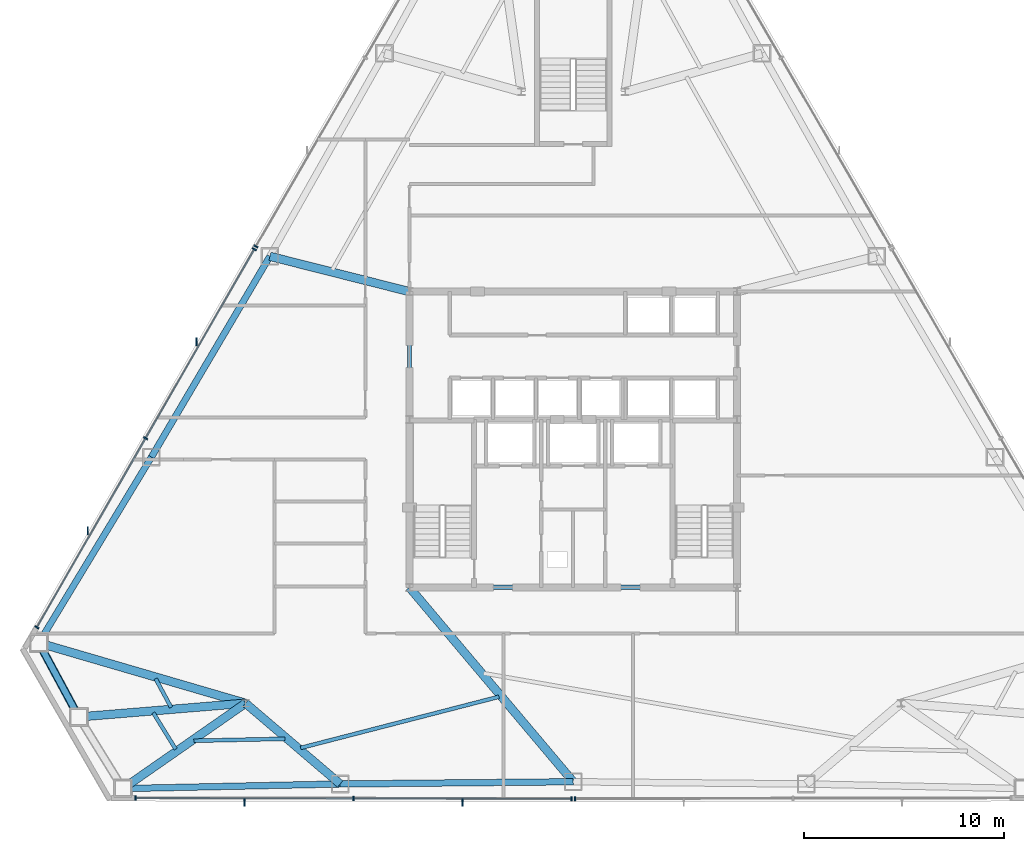
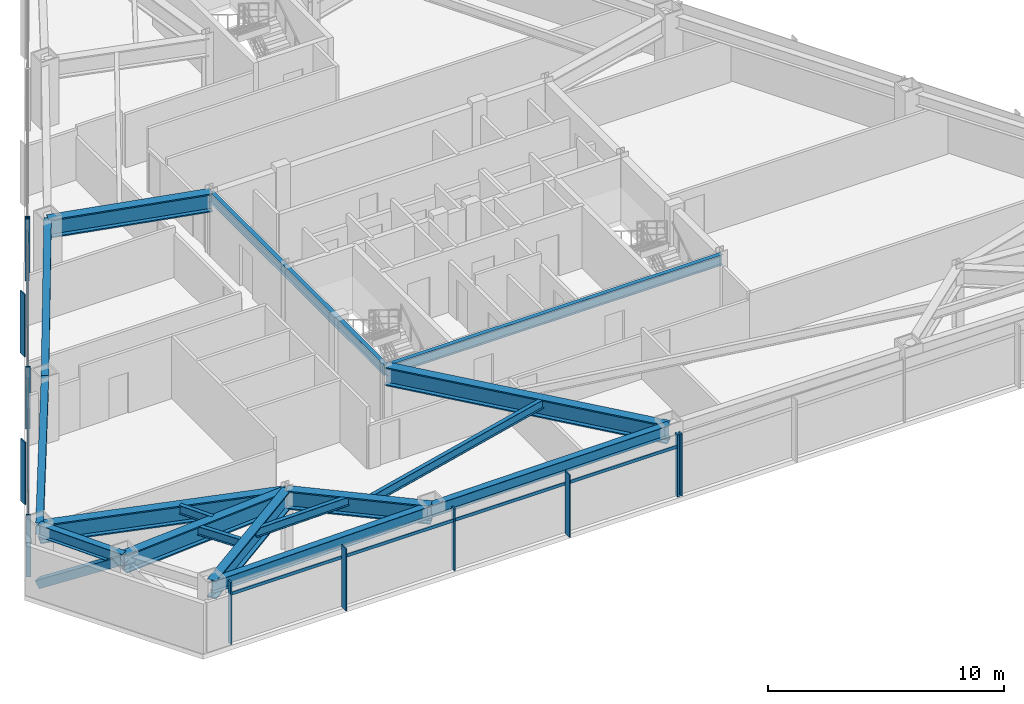
# One storey, part 4 of 12: 17 beams, 15 members, 4 elements without a shape of their own.
"""IFC4 building model written with IfcOpenShell, lengths in metres."""

from ifc_helpers import new_model, si_unit, direction, frame, origin, origin_2d, place, context, subcontext, project, spatial, rectangle, hollow_rectangle, i_section, extrude, source, transform, mapped, material, layer, layer_set, material_profile, profile_set, type_object, type_shapes, element, aggregate, save


model = new_model("IFC4")

# Units and contexts
model_context = context("Model", 3, precision=1e-05, world=origin(), true_north=direction((0.0, 1.0)))
body_context = subcontext(model_context, "Body", "Model", "MODEL_VIEW")
ifc_project = project(units=[si_unit("LENGTHUNIT", "METRE"), si_unit("AREAUNIT", "SQUARE_METRE"), si_unit("VOLUMEUNIT", "CUBIC_METRE"), si_unit("PLANEANGLEUNIT", "RADIAN"), si_unit("MASSUNIT", "GRAM", prefix="KILO")], contexts=[model_context])

# Site, building, storey
site_placement = place(None, origin())
site = spatial("IfcSite", under=ifc_project, at=site_placement, CompositionType="ELEMENT")
building_placement = place(site_placement, origin())
building = spatial("IfcBuilding", under=site, at=building_placement, Name="Varakhsha Concourse Tower", CompositionType="ELEMENT")
storey_placement = place(building_placement, frame((0.0, 0.0, 119.449951171875)))
storey = spatial("IfcBuildingStorey", under=building, at=storey_placement, Name="L34", CompositionType="ELEMENT", Elevation=119.449951171875)

# Beams
ifc_material_1 = material(Name="Structural Steel ASTM A992 Grade 50", Category="steel")
ifc_material_profile_1 = material_profile(ifc_material_1, i_section(OverallWidth=0.19091796875, OverallDepth=0.45703125, WebThickness=0.009033203125, FlangeThickness=0.013916015625, at=origin_2d()), Name="W18X50")
ifc_profile_set_1 = profile_set([ifc_material_profile_1], Name="Structural Steel ASTM A992 Grade 50")
beam_type_1 = type_object("IfcBeamType", Name="BM-JST-W18X50", PredefinedType="JOIST", material=ifc_profile_set_1)
beam_1_placement = place(storey_placement, frame((19.1005859375, 11.83154296875, 2.9814453125), z_axis=(0.474928924702, -0.88002415676, 0.0), x_axis=(0.88002415676, 0.474928924702, 0.0)))
element("IfcBeam", 1, at=beam_1_placement, inside=storey, type_object=beam_type_1, Name="BM-TJST-L34-07", PredefinedType="JOIST", context=body_context, shape_type="SweptSolid", body=[
    extrude(i_section(OverallWidth=0.19091796875, OverallDepth=0.45703125, WebThickness=0.009033203125, FlangeThickness=0.013916015625, at=origin_2d()), origin(), (0.0, 0.0, 1.0), 1.632568359375),
])
beam_2_placement = place(storey_placement, frame((18.984619140625, 10.121826171875, 2.9814453125), z_axis=(0.524619789349, -0.851336641184, 0.0), x_axis=(0.851336641184, 0.524619789349, 0.0)))
element("IfcBeam", 2, at=beam_2_placement, inside=storey, type_object=beam_type_1, Name="BM-TJST-L34-08", PredefinedType="JOIST", context=body_context, shape_type="SweptSolid", body=[
    extrude(i_section(OverallWidth=0.19091796875, OverallDepth=0.45703125, WebThickness=0.009033203125, FlangeThickness=0.013916015625, at=origin_2d()), origin(), (0.0, 0.0, 1.0), 2.137939453125),
])
beam_3_placement = place(storey_placement, frame((21.01025390625, 8.722900390625, 2.9814453125), z_axis=(0.999774600356, 0.021230837996, 0.0), x_axis=(-0.021230837996, 0.999774600356, 0.0)))
element("IfcBeam", 3, at=beam_3_placement, inside=storey, type_object=beam_type_1, Name="BM-TJST-L34-09", PredefinedType="JOIST", context=body_context, shape_type="SweptSolid", body=[
    extrude(i_section(OverallWidth=0.19091796875, OverallDepth=0.45703125, WebThickness=0.009033203125, FlangeThickness=0.013916015625, at=origin_2d()), origin(), (0.0, 0.0, 1.0), 4.565185546875),
])
beam_4_placement = place(storey_placement, frame((26.359375, 8.36474609375, 2.9814453125), z_axis=(0.968318391646, 0.249718826682, 0.0), x_axis=(-0.249718826682, 0.968318391646, 0.0)))
element("IfcBeam", 4, at=beam_4_placement, inside=storey, type_object=beam_type_1, Name="BM-TJST-L34-10", PredefinedType="JOIST", context=body_context, shape_type="SweptSolid", body=[
    extrude(i_section(OverallWidth=0.19091796875, OverallDepth=0.45703125, WebThickness=0.009033203125, FlangeThickness=0.013916015625, at=origin_2d()), origin(), (0.0, 0.0, 1.0), 10.250732421875),
])
ifc_material_profile_2 = material_profile(ifc_material_1, i_section(OverallWidth=0.423095703125, OverallDepth=0.947998046875, WebThickness=0.0380859375, FlangeThickness=0.06396484375, at=origin_2d()), Name="W36X302")
ifc_profile_set_2 = profile_set([ifc_material_profile_2], Name="Structural Steel ASTM A992 Grade 50")
beam_type_2 = type_object("IfcBeamType", Name="BM-OUTR-W36X302", PredefinedType="USERDEFINED", material=ifc_profile_set_2)
beam_5_placement = place(storey_placement, frame((31.800048828125, 31.199951171875, 2.736083984375), z_axis=(-0.969508926841, 0.245055995183, 0.0), x_axis=(-0.245055995183, -0.969508926841, 0.0)))
element("IfcBeam", 5, at=beam_5_placement, inside=storey, type_object=beam_type_2, Name="L34 Radial Floor Girder 05", ObjectType="GIRDER", PredefinedType="USERDEFINED", context=body_context, shape_type="SweptSolid", body=[
    extrude(i_section(OverallWidth=0.423095703125, OverallDepth=0.947998046875, WebThickness=0.0380859375, FlangeThickness=0.06396484375, at=origin_2d()), origin(), (0.0, 0.0, 1.0), 7.199951171875),
])
beam_6_placement = place(storey_placement, frame((23.60009765625, 10.60009765625, 2.736083984375), z_axis=(-0.959956092068, 0.280150497593, 0.0), x_axis=(-0.280150497593, -0.959956092068, 0.0)))
element("IfcBeam", 6, at=beam_6_placement, inside=storey, type_object=beam_type_2, Name="L34 Radial Floor Girder 07", ObjectType="GIRDER", PredefinedType="USERDEFINED", context=body_context, shape_type="SweptSolid", body=[
    extrude(i_section(OverallWidth=0.423095703125, OverallDepth=0.947998046875, WebThickness=0.0380859375, FlangeThickness=0.06396484375, at=origin_2d()), origin(), (0.0, 0.0, 1.0), 10.776611328125),
])
beam_7_placement = place(storey_placement, frame((23.60009765625, 10.60009765625, 2.736083984375), z_axis=(-0.996630888182, -0.082017514729, 0.0), x_axis=(0.082017514729, -0.996630888182, 0.0)))
element("IfcBeam", 7, at=beam_7_placement, inside=storey, type_object=beam_type_2, Name="L34 Radial Floor Girder 08", ObjectType="GIRDER", PredefinedType="USERDEFINED", context=body_context, shape_type="SweptSolid", body=[
    extrude(i_section(OverallWidth=0.423095703125, OverallDepth=0.947998046875, WebThickness=0.0380859375, FlangeThickness=0.06396484375, at=origin_2d()), origin(), (0.0, 0.0, 1.0), 8.37353515625),
])
beam_8_placement = place(storey_placement, frame((23.60009765625, 10.60009765625, 2.736083984375), z_axis=(-0.820723448581, -0.57132566978, 0.0), x_axis=(0.57132566978, -0.820723448581, 0.0)))
element("IfcBeam", 8, at=beam_8_placement, inside=storey, type_object=beam_type_2, Name="L34 Radial Floor Girder 09", ObjectType="GIRDER", PredefinedType="USERDEFINED", context=body_context, shape_type="SweptSolid", body=[
    extrude(i_section(OverallWidth=0.423095703125, OverallDepth=0.947998046875, WebThickness=0.0380859375, FlangeThickness=0.06396484375, at=origin_2d()), origin(), (0.0, 0.0, 1.0), 7.47607421875),
])
beam_9_placement = place(storey_placement, frame((23.60009765625, 10.60009765625, 2.736083984375), z_axis=(0.760826549382, -0.648955284866, 0.0), x_axis=(0.648955284866, 0.760826549382, 0.0)))
element("IfcBeam", 9, at=beam_9_placement, inside=storey, type_object=beam_type_2, Name="L34 Radial Floor Girder 10", ObjectType="GIRDER", PredefinedType="USERDEFINED", context=body_context, shape_type="SweptSolid", body=[
    extrude(i_section(OverallWidth=0.423095703125, OverallDepth=0.947998046875, WebThickness=0.0380859375, FlangeThickness=0.06396484375, at=origin_2d()), origin(), (0.0, 0.0, 1.0), 6.226318359375),
])
beam_10_placement = place(storey_placement, frame((31.800048828125, 16.39990234375, 2.736083984375), z_axis=(0.644481351405, -0.764620028309, 0.0), x_axis=(0.764620028309, 0.644481351405, 0.0)))
element("IfcBeam", 10, at=beam_10_placement, inside=storey, type_object=beam_type_2, Name="L34 Radial Floor Girder 11", ObjectType="GIRDER", PredefinedType="USERDEFINED", context=body_context, shape_type="SweptSolid", body=[
    extrude(i_section(OverallWidth=0.423095703125, OverallDepth=0.947998046875, WebThickness=0.0380859375, FlangeThickness=0.06396484375, at=origin_2d()), origin(), (0.0, 0.0, 1.0), 12.723388671875),
])
ifc_material_profile_3 = material_profile(ifc_material_1, i_section(OverallWidth=0.2109375, OverallDepth=0.5390625, WebThickness=0.011962890625, FlangeThickness=0.01904296875, at=origin_2d()), Name="W21X73")
ifc_profile_set_3 = profile_set([ifc_material_profile_3], Name="Structural Steel ASTM A992 Grade 50")
beam_type_3 = type_object("IfcBeamType", Name="BM-RAD-W21X73", PredefinedType="BEAM", material=ifc_profile_set_3)
beam_11_placement = place(storey_placement, frame((31.800048828125, 16.39990234375, 2.9404296875), z_axis=(1.0, 0.0, 0.0), x_axis=(0.0, 1.0, 0.0)))
element("IfcBeam", 11, at=beam_11_placement, inside=storey, type_object=beam_type_3, Name="BM-TCORE-L34-CS", PredefinedType="BEAM", context=body_context, shape_type="SweptSolid", body=[
    extrude(i_section(OverallWidth=0.2109375, OverallDepth=0.5390625, WebThickness=0.011962890625, FlangeThickness=0.01904296875, at=origin_2d()), origin(), (0.0, 0.0, 1.0), 16.39990234375),
])
beam_12_placement = place(storey_placement, frame((31.800048828125, 16.39990234375, 2.9404296875), z_axis=(0.0, 1.0, 0.0), x_axis=(-1.0, 0.0, 0.0)))
element("IfcBeam", 12, at=beam_12_placement, inside=storey, type_object=beam_type_3, Name="BM-TCORE-L34-CW", PredefinedType="BEAM", context=body_context, shape_type="SweptSolid", body=[
    extrude(i_section(OverallWidth=0.2109375, OverallDepth=0.5390625, WebThickness=0.011962890625, FlangeThickness=0.01904296875, at=origin_2d()), origin(), (0.0, 0.0, 1.0), 14.800048828125),
])
ifc_material_profile_4 = material_profile(ifc_material_1, i_section(OverallWidth=0.323974609375, OverallDepth=0.611083984375, WebThickness=0.012939453125, FlangeThickness=0.01904296875, at=origin_2d()), Name="W24X104")
ifc_profile_set_4 = profile_set([ifc_material_profile_4], Name="Structural Steel ASTM A992 Grade 50")
beam_type_4 = type_object("IfcBeamType", Name="BM-SPAN-W24X104", PredefinedType="SPANDREL", material=ifc_profile_set_4)
beam_13_placement = place(storey_placement, frame((24.819580078125, 32.96435546875, 2.904541015625), z_axis=(-0.508260965331, -0.861203106776, 0.0), x_axis=(0.861203106776, -0.508260965331, 0.0)))
element("IfcBeam", 13, at=beam_13_placement, inside=storey, type_object=beam_type_4, Name="BM-SPAN-L34-05", PredefinedType="SPANDREL", context=body_context, shape_type="SweptSolid", body=[
    extrude(i_section(OverallWidth=0.323974609375, OverallDepth=0.611083984375, WebThickness=0.012939453125, FlangeThickness=0.01904296875, at=origin_2d()), origin(), (0.0, 0.0, 1.0), 11.663330078125),
])
beam_14_placement = place(storey_placement, frame((18.8916015625, 22.919921875, 2.904541015625), z_axis=(-0.518277337211, -0.855212606159, 0.0), x_axis=(0.855212606159, -0.518277337211, 0.0)))
element("IfcBeam", 14, at=beam_14_placement, inside=storey, type_object=beam_type_4, Name="BM-SPAN-L34-06", PredefinedType="SPANDREL", context=body_context, shape_type="SweptSolid", body=[
    extrude(i_section(OverallWidth=0.323974609375, OverallDepth=0.611083984375, WebThickness=0.012939453125, FlangeThickness=0.01904296875, at=origin_2d()), origin(), (0.0, 0.0, 1.0), 10.87548828125),
])
beam_15_placement = place(storey_placement, frame((13.255126953125, 13.619140625, 2.904541015625), z_axis=(0.474894827548, -0.880042557362, 0.0), x_axis=(0.880042557362, 0.474894827548, 0.0)))
element("IfcBeam", 15, at=beam_15_placement, inside=storey, type_object=beam_type_4, Name="BM-SPAN-L34-07", PredefinedType="SPANDREL", context=body_context, shape_type="SweptSolid", body=[
    extrude(i_section(OverallWidth=0.323974609375, OverallDepth=0.611083984375, WebThickness=0.012939453125, FlangeThickness=0.01904296875, at=origin_2d()), origin(), (0.0, 0.0, 1.0), 4.2109375),
])
beam_16_placement = place(storey_placement, frame((17.46435546875, 6.328857421875, 2.904541015625), z_axis=(0.999774947376, 0.021214490295, 0.0), x_axis=(-0.021214490295, 0.999774947376, 0.0)))
element("IfcBeam", 16, at=beam_16_placement, inside=storey, type_object=beam_type_4, Name="BM-SPAN-L34-09", PredefinedType="SPANDREL", context=body_context, shape_type="SweptSolid", body=[
    extrude(i_section(OverallWidth=0.323974609375, OverallDepth=0.611083984375, WebThickness=0.012939453125, FlangeThickness=0.01904296875, at=origin_2d()), origin(), (0.0, 0.0, 1.0), 10.875244140625),
])
beam_17_placement = place(storey_placement, frame((28.337158203125, 6.5595703125, 2.904541015625), z_axis=(0.999954043986, 0.009586965987, 0.0), x_axis=(-0.009586965987, 0.999954043986, 0.0)))
element("IfcBeam", 17, at=beam_17_placement, inside=storey, type_object=beam_type_4, Name="BM-SPAN-L34-10", PredefinedType="SPANDREL", context=body_context, shape_type="SweptSolid", body=[
    extrude(i_section(OverallWidth=0.323974609375, OverallDepth=0.611083984375, WebThickness=0.012939453125, FlangeThickness=0.01904296875, at=origin_2d()), origin(), (0.0, 0.0, 1.0), 11.663330078125),
])

# Member
ifc_material_2 = material(Name="Structural Steel ASTM A500 Grade C", Category="steel")
ifc_material_profile_5 = material_profile(ifc_material_2, hollow_rectangle(XDim=0.39990234375, YDim=0.39990234375, WallThickness=0.01611328125, at=origin_2d()), Name="HSS 400x400x16")
ifc_profile_set_5 = profile_set([ifc_material_profile_5], Name="Structural Steel ASTM A500 Grade C")
member_type_1 = type_object("IfcMemberType", Name="MB-TUBE-HSS400", PredefinedType="BRACE", material=ifc_profile_set_5)
shared_shape_1 = source(origin(), body_context, "Body", "SweptSolid", [
    extrude(hollow_rectangle(XDim=0.39990234375, YDim=0.39990234375, WallThickness=0.01611328125, at=origin_2d()), origin(), (0.0, 0.0, 1.0), 5.05126953125),
])
type_shapes(member_type_1, [shared_shape_1])
member_1_placement = place(storey_placement, frame((13.255126953125, 13.619140625, 0.1201171875), z_axis=(0.395883594231, -0.733624353173, 0.552332769488), x_axis=(0.880042557362, 0.474894827548, 0.0)))
element("IfcMember", 18, at=member_1_placement, inside=storey, type_object=member_type_1, Name="L34 Wind-Corner Tube Brace B03", PredefinedType="BRACE", context=body_context, shape_type="MappedRepresentation", body=[
    mapped(shared_shape_1, transform((0.0, 0.0, 0.0), scale=1.0)),
])

# Curtain wall, member
ifc_material_3 = material(Name="Anodised Bronze Architectural Aluminium AA 6063-T6", Category="aluminium")
ifc_layer = layer(ifc_material_3, 0.2099609375, Name="CW-SYS-04")
ifc_layer_set = layer_set([ifc_layer], Name="Anodised Bronze Architectural Aluminium AA 6063-T6")
curtain_wall_type = type_object("IfcCurtainWallType", Name="CW-SYS-04", PredefinedType="NOTDEFINED", material=ifc_layer_set)
curtain_wall_1_placement = place(storey_placement, origin())
curtain_wall_1 = element("IfcCurtainWall", 19, at=curtain_wall_1_placement, inside=storey, type_object=curtain_wall_type, Name="L34 Crystal Curtain Wall F2", PredefinedType="NOTDEFINED")
ifc_material_profile_6 = material_profile(ifc_material_3, rectangle(XDim=0.074951171875, YDim=0.219970703125, at=origin_2d()), Name="CWM-220X75")
ifc_profile_set_6 = profile_set([ifc_material_profile_6], Name="Anodised Bronze Architectural Aluminium AA 6063-T6")
member_type_2 = type_object("IfcMemberType", Name="CWM-220X75", PredefinedType="MULLION", material=ifc_profile_set_6)
shared_shape_2 = source(origin(), body_context, "Body", "SweptSolid", [
    extrude(rectangle(XDim=0.074951171875, YDim=0.219970703125, at=origin_2d()), origin(), (0.0, 0.0, 1.0), 3.2099609375),
])
type_shapes(member_type_2, [shared_shape_2])
member_2_placement = place(storey_placement, frame((24.121826171875, 33.459228515625, 0.0), z_axis=(0.0, 0.0, 1.0), x_axis=(0.501513757105, 0.865149669962, 0.0)))
member_2 = element("IfcMember", 20, at=member_2_placement, type_object=member_type_2, Name="CW-L34-F2 Mullion 00", PredefinedType="MULLION", context=body_context, shape_type="MappedRepresentation", body=[
    mapped(shared_shape_2, transform((0.0, 0.0, 0.0), scale=1.0)),
])
aggregate(curtain_wall_1, [member_2])

# Curtain wall, members
curtain_wall_2_placement = place(storey_placement, origin())
curtain_wall_2 = element("IfcCurtainWall", 21, at=curtain_wall_2_placement, inside=storey, type_object=curtain_wall_type, Name="L34 Crystal Curtain Wall F3", PredefinedType="NOTDEFINED")
member_3_placement = place(storey_placement, frame((13.160888671875, 14.398193359375, 0.0), z_axis=(0.0, 0.0, 1.0), x_axis=(0.498489252773, 0.866895878909, 0.0)))
member_3 = element("IfcMember", 22, at=member_3_placement, type_object=member_type_2, Name="CW-L34-F3 Mullion 00", PredefinedType="MULLION", context=body_context, shape_type="MappedRepresentation", body=[
    mapped(shared_shape_2, transform((0.0, 0.0, 0.0), scale=1.0)),
])
member_4_placement = place(storey_placement, frame((18.6015625, 23.859619140625, 0.0), z_axis=(0.0, 0.0, 1.0), x_axis=(0.498489252773, 0.866895878909, 0.0)))
member_4 = element("IfcMember", 23, at=member_4_placement, type_object=member_type_2, Name="CW-L34-F3 Mullion 01", PredefinedType="MULLION", context=body_context, shape_type="MappedRepresentation", body=[
    mapped(shared_shape_2, transform((0.0, 0.0, 0.0), scale=1.0)),
])
member_5_placement = place(storey_placement, frame((24.0419921875, 33.3212890625, 0.0), z_axis=(0.0, 0.0, 1.0), x_axis=(0.498489252773, 0.866895878909, 0.0)))
member_5 = element("IfcMember", 24, at=member_5_placement, type_object=member_type_2, Name="CW-L34-F3 Mullion 02", PredefinedType="MULLION", context=body_context, shape_type="MappedRepresentation", body=[
    mapped(shared_shape_2, transform((0.0, 0.0, 0.0), scale=1.0)),
])

curtain_wall_3_placement = place(storey_placement, origin())
curtain_wall_3 = element("IfcCurtainWall", 25, at=curtain_wall_3_placement, inside=storey, type_object=curtain_wall_type, Name="L34 Crystal Curtain Wall F5", PredefinedType="NOTDEFINED")
member_6_placement = place(storey_placement, frame((39.92041015625, 5.8193359375, 0.0), z_axis=(0.0, 0.0, 1.0), x_axis=(-0.999998476913, 0.001745328366, 0.0)))
member_6 = element("IfcMember", 26, at=member_6_placement, type_object=member_type_2, Name="CW-L34-F5 Mullion 00", PredefinedType="MULLION", context=body_context, shape_type="MappedRepresentation", body=[
    mapped(shared_shape_2, transform((0.0, 0.0, 0.0), scale=1.0)),
])
member_7_placement = place(storey_placement, frame((29.006103515625, 5.83837890625, 0.0), z_axis=(0.0, 0.0, 1.0), x_axis=(-0.999998476913, 0.001745328366, 0.0)))
member_7 = element("IfcMember", 27, at=member_7_placement, type_object=member_type_2, Name="CW-L34-F5 Mullion 01", PredefinedType="MULLION", context=body_context, shape_type="MappedRepresentation", body=[
    mapped(shared_shape_2, transform((0.0, 0.0, 0.0), scale=1.0)),
])
member_8_placement = place(storey_placement, frame((18.091796875, 5.857421875, 0.0), z_axis=(0.0, 0.0, 1.0), x_axis=(-0.999998476913, 0.001745328366, 0.0)))
member_8 = element("IfcMember", 28, at=member_8_placement, type_object=member_type_2, Name="CW-L34-F5 Mullion 02", PredefinedType="MULLION", context=body_context, shape_type="MappedRepresentation", body=[
    mapped(shared_shape_2, transform((0.0, 0.0, 0.0), scale=1.0)),
])

# Curtain wall, member
curtain_wall_4_placement = place(storey_placement, origin())
curtain_wall_4 = element("IfcCurtainWall", 29, at=curtain_wall_4_placement, inside=storey, type_object=curtain_wall_type, Name="L34 Crystal Curtain Wall F6", PredefinedType="NOTDEFINED")
member_9_placement = place(storey_placement, frame((40.07958984375, 5.8193359375, 0.0), z_axis=(0.0, 0.0, 1.0), x_axis=(-0.999998476913, -0.001745328366, 0.0)))
member_9 = element("IfcMember", 30, at=member_9_placement, type_object=member_type_2, Name="CW-L34-F6 Mullion 02", PredefinedType="MULLION", context=body_context, shape_type="MappedRepresentation", body=[
    mapped(shared_shape_2, transform((0.0, 0.0, 0.0), scale=1.0)),
])
aggregate(curtain_wall_4, [member_9])

# Member
ifc_material_profile_7 = material_profile(ifc_material_3, rectangle(XDim=0.06005859375, YDim=0.3798828125, at=origin_2d()), Name="FIN-BRZ-380")
ifc_profile_set_7 = profile_set([ifc_material_profile_7], Name="Anodised Bronze Architectural Aluminium AA 6063-T6")
member_type_3 = type_object("IfcMemberType", Name="FIN-BRZ-380", PredefinedType="USERDEFINED", material=ifc_profile_set_7)
shared_shape_3 = source(origin(), body_context, "Body", "SweptSolid", [
    extrude(rectangle(XDim=0.06005859375, YDim=0.3798828125, at=origin_2d()), origin(), (0.0, 0.0, 1.0), 3.2099609375),
])
type_shapes(member_type_3, [shared_shape_3])
member_10_placement = place(storey_placement, frame((15.703369140625, 19.231201171875, 0.0), z_axis=(0.0, 0.0, 1.0), x_axis=(1.0, 0.0, 0.0)))
member_10 = element("IfcMember", 31, at=member_10_placement, type_object=member_type_3, Name="L34 Anodised Bronze Solar Fin F3-1", ObjectType="SOLAR FIN", PredefinedType="USERDEFINED", context=body_context, shape_type="MappedRepresentation", body=[
    mapped(shared_shape_3, transform((0.0, 0.0, 0.0), scale=1.0)),
])

member_11_placement = place(storey_placement, frame((21.14404296875, 28.692626953125, 0.0), z_axis=(0.0, 0.0, 1.0), x_axis=(1.0, 0.0, 0.0)))
member_11 = element("IfcMember", 32, at=member_11_placement, type_object=member_type_3, Name="L34 Anodised Bronze Solar Fin F3-2", ObjectType="SOLAR FIN", PredefinedType="USERDEFINED", context=body_context, shape_type="MappedRepresentation", body=[
    mapped(shared_shape_3, transform((0.0, 0.0, 0.0), scale=1.0)),
])

member_12_placement = place(storey_placement, frame((34.462890625, 5.623779296875, 0.0), z_axis=(0.0, 0.0, 1.0), x_axis=(1.0, 0.0, 0.0)))
member_12 = element("IfcMember", 33, at=member_12_placement, type_object=member_type_3, Name="L34 Anodised Bronze Solar Fin F5-1", ObjectType="SOLAR FIN", PredefinedType="USERDEFINED", context=body_context, shape_type="MappedRepresentation", body=[
    mapped(shared_shape_3, transform((0.0, 0.0, 0.0), scale=1.0)),
])

member_13_placement = place(storey_placement, frame((23.548583984375, 5.64306640625, 0.0), z_axis=(0.0, 0.0, 1.0), x_axis=(1.0, 0.0, 0.0)))
member_13 = element("IfcMember", 34, at=member_13_placement, type_object=member_type_3, Name="L34 Anodised Bronze Solar Fin F5-2", ObjectType="SOLAR FIN", PredefinedType="USERDEFINED", context=body_context, shape_type="MappedRepresentation", body=[
    mapped(shared_shape_3, transform((0.0, 0.0, 0.0), scale=1.0)),
])

ifc_material_profile_8 = material_profile(ifc_material_3, rectangle(XDim=0.06494140625, YDim=0.159912109375, at=origin_2d()), Name="CWT-160X65")
ifc_profile_set_8 = profile_set([ifc_material_profile_8], Name="Anodised Bronze Architectural Aluminium AA 6063-T6")
member_type_4 = type_object("IfcMemberType", Name="CWT-160X65", PredefinedType="USERDEFINED", material=ifc_profile_set_8)
shared_shape_4 = source(origin(), body_context, "Body", "SweptSolid", [
    extrude(rectangle(XDim=0.06494140625, YDim=0.159912109375, at=origin_2d()), origin(), (0.0, 0.0, 1.0), 21.828369140625),
])
member_14_placement = place(storey_placement, frame((13.160888671875, 14.398193359375, 2.56005859375), z_axis=(0.498482261443, 0.866899899081, 0.0), x_axis=(-0.866899899081, 0.498482261443, 0.0)))
member_14 = element("IfcMember", 35, at=member_14_placement, type_object=member_type_4, Name="CW-L34-F3 Transom 01", ObjectType="TRANSOM", PredefinedType="USERDEFINED", context=body_context, shape_type="MappedRepresentation", body=[
    mapped(shared_shape_4, transform((0.0, 0.0, 0.0), scale=1.0)),
])

aggregate(curtain_wall_2, [member_3, member_4, member_5, member_14, member_10, member_11])

shared_shape_5 = source(origin(), body_context, "Body", "SweptSolid", [
    extrude(rectangle(XDim=0.06494140625, YDim=0.159912109375, at=origin_2d()), origin(), (0.0, 0.0, 1.0), 21.82861328125),
])
type_shapes(member_type_4, [shared_shape_4, shared_shape_5])
member_15_placement = place(storey_placement, frame((39.92041015625, 5.8193359375, 2.56005859375), z_axis=(-0.99999847789, 0.001744768623, 0.0), x_axis=(-0.001744768623, -0.99999847789, 0.0)))
member_15 = element("IfcMember", 36, at=member_15_placement, type_object=member_type_4, Name="CW-L34-F5 Transom 01", ObjectType="TRANSOM", PredefinedType="USERDEFINED", context=body_context, shape_type="MappedRepresentation", body=[
    mapped(shared_shape_5, transform((0.0, 0.0, 0.0), scale=1.0)),
])

aggregate(curtain_wall_3, [member_6, member_7, member_8, member_15, member_12, member_13])

save(model, "model.ifc")
